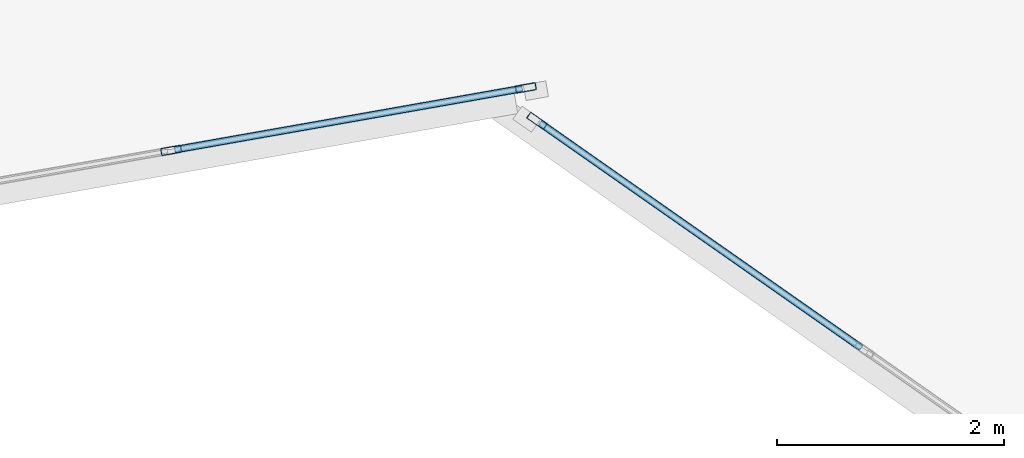
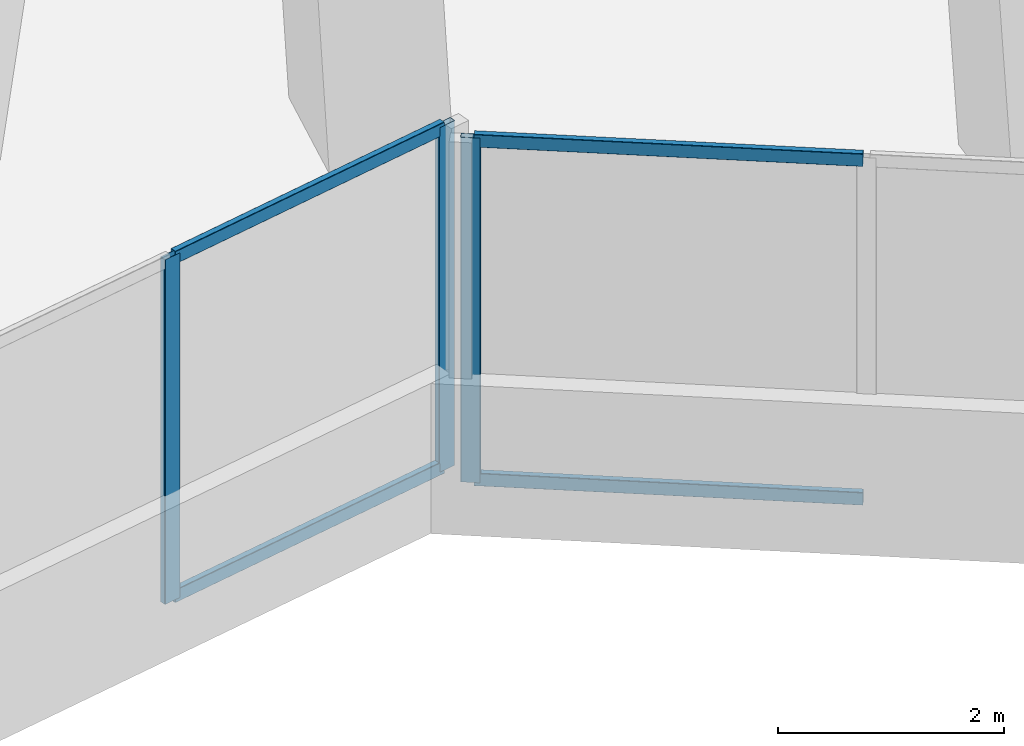
# One storey, part 4 of 21: 7 members, 2 elements without a shape of their own.
"""IFC4 building model written with IfcOpenShell, lengths in metres."""

from ifc_helpers import new_model, si_unit, direction, frame, origin, origin_2d, place, context, subcontext, project, spatial, hollow_rectangle, extrude, source, transform, mapped, material, material_profile, profile_set, type_object, element, aggregate, save


model = new_model("IFC4")

# Units and contexts
model_context = context("Model", 3, precision=1e-05, world=origin(), true_north=direction((0.0, 1.0)))
body_context = subcontext(model_context, "Body", "Model", "MODEL_VIEW")
ifc_project = project(units=[si_unit("LENGTHUNIT", "METRE"), si_unit("AREAUNIT", "SQUARE_METRE"), si_unit("VOLUMEUNIT", "CUBIC_METRE"), si_unit("PLANEANGLEUNIT", "RADIAN"), si_unit("MASSUNIT", "GRAM", prefix="KILO")], contexts=[model_context])

# Site, building, storey
site_placement = place(None, origin())
site = spatial("IfcSite", under=ifc_project, at=site_placement, CompositionType="ELEMENT")
building_placement = place(site_placement, origin())
building = spatial("IfcBuilding", under=site, at=building_placement, Name="Torre Montelarca", CompositionType="ELEMENT")
storey_placement = place(building_placement, frame((0.0, 0.0, 200.199951171875)))
storey = spatial("IfcBuildingStorey", under=building, at=storey_placement, Name="L45", CompositionType="ELEMENT", Elevation=200.199951171875)

# Curtain wall, members
ifc_material_1 = material(Name="Insulated low-E laminated glass", Category="glass")
curtain_wall_type = type_object("IfcCurtainWallType", Name="CW-SYS-Z2", PredefinedType="USERDEFINED", material=ifc_material_1)
curtain_wall_1_placement = place(storey_placement, origin())
curtain_wall_1 = element("IfcCurtainWall", 1, at=curtain_wall_1_placement, inside=storey, type_object=curtain_wall_type, Name="L45 Curtain Wall Run CW-T3-L45-E02-B1", ObjectType="UNITISED GLAZING", PredefinedType="USERDEFINED")
ifc_material_2 = material(Name="Anodised aluminium AA 6063-T6", Category="aluminium")
ifc_material_profile_1 = material_profile(ifc_material_2, hollow_rectangle(XDim=0.06494140625, YDim=0.139892578125, WallThickness=0.00390625, InnerFilletRadius=0.00390625, OuterFilletRadius=0.008056640625, at=origin_2d()), Name="ALU65X140X4", Category="aluminium")
ifc_profile_set_1 = profile_set([ifc_material_profile_1], Name="Anodised aluminium AA 6063-T6")
member_type_1 = type_object("IfcMemberType", Name="CWT-ALU140", PredefinedType="USERDEFINED", material=ifc_profile_set_1)
shared_shape_1 = source(origin(), body_context, "Body", "SweptSolid", [
    extrude(hollow_rectangle(XDim=0.06494140625, YDim=0.139892578125, WallThickness=0.00390625, InnerFilletRadius=0.00390625, OuterFilletRadius=0.008056640625, at=origin_2d()), origin(), (0.0, 0.0, 1.0), 3.102294921875),
])
member_1_placement = place(storey_placement, frame((23.313720703125, 11.5576171875, 0.032470703125), z_axis=(0.984815232543, 0.173605753795, 0.0), x_axis=(-0.173605753795, 0.984815232543, 0.0)))
member_1 = element("IfcMember", 2, at=member_1_placement, type_object=member_type_1, Name="CW transom 2.1", ObjectType="TRANSOM", PredefinedType="USERDEFINED", context=body_context, shape_type="MappedRepresentation", body=[
    mapped(shared_shape_1, transform((0.0, 0.0, 0.0), scale=1.0)),
])
member_2_placement = place(storey_placement, frame((23.313720703125, 11.5576171875, 3.6875), z_axis=(0.984815232543, 0.173605753795, 0.0), x_axis=(-0.173605753795, 0.984815232543, 0.0)))
member_2 = element("IfcMember", 3, at=member_2_placement, type_object=member_type_1, Name="CW transom 2.2", ObjectType="TRANSOM", PredefinedType="USERDEFINED", context=body_context, shape_type="MappedRepresentation", body=[
    mapped(shared_shape_1, transform((0.0, 0.0, 0.0), scale=1.0)),
])
ifc_material_profile_2 = material_profile(ifc_material_2, hollow_rectangle(XDim=0.06494140625, YDim=0.179931640625, WallThickness=0.00390625, InnerFilletRadius=0.00390625, OuterFilletRadius=0.008056640625, at=origin_2d()), Name="ALU65X180X4", Category="aluminium")
ifc_profile_set_2 = profile_set([ifc_material_profile_2], Name="Anodised aluminium AA 6063-T6")
member_type_2 = type_object("IfcMemberType", Name="CWM-ALU180", PredefinedType="MULLION", material=ifc_profile_set_2)
shared_shape_2 = source(origin(), body_context, "Body", "SweptSolid", [
    extrude(hollow_rectangle(XDim=0.06494140625, YDim=0.179931640625, WallThickness=0.00390625, InnerFilletRadius=0.00390625, OuterFilletRadius=0.008056640625, at=origin_2d()), origin(), (0.0, 0.0, 1.0), 3.719970703125),
])
member_3_placement = place(storey_placement, frame((23.28173828125, 11.552001953125, 0.0), z_axis=(0.0, 0.0, 1.0), x_axis=(-0.173635574451, 0.984809975216, 0.0)))
member_3 = element("IfcMember", 4, at=member_3_placement, type_object=member_type_2, Name="CW mullion 2", PredefinedType="MULLION", context=body_context, shape_type="MappedRepresentation", body=[
    mapped(shared_shape_2, transform((0.0, 0.0, 0.0), scale=1.0)),
])
member_4_placement = place(storey_placement, frame((26.40087890625, 12.101806640625, 0.0), z_axis=(0.0, 0.0, 1.0), x_axis=(-0.173635574451, 0.984809975216, 0.0)))
member_4 = element("IfcMember", 5, at=member_4_placement, type_object=member_type_2, Name="CW mullion 3", PredefinedType="MULLION", context=body_context, shape_type="MappedRepresentation", body=[
    mapped(shared_shape_2, transform((0.0, 0.0, 0.0), scale=1.0)),
])
aggregate(curtain_wall_1, [member_3, member_4, member_1, member_2])

curtain_wall_2_placement = place(storey_placement, origin())
curtain_wall_2 = element("IfcCurtainWall", 6, at=curtain_wall_2_placement, inside=storey, type_object=curtain_wall_type, Name="L45 Curtain Wall Run CW-T3-L45-E04-B1", ObjectType="UNITISED GLAZING", PredefinedType="USERDEFINED")
member_5_placement = place(storey_placement, frame((26.4990234375, 11.811767578125, 0.0), z_axis=(0.0, 0.0, 1.0), x_axis=(0.57355791733, 0.819165011136, 0.0)))
member_5 = element("IfcMember", 7, at=member_5_placement, type_object=member_type_2, Name="CW mullion 1", PredefinedType="MULLION", context=body_context, shape_type="MappedRepresentation", body=[
    mapped(shared_shape_2, transform((0.0, 0.0, 0.0), scale=1.0)),
])
shared_shape_3 = source(origin(), body_context, "Body", "SweptSolid", [
    extrude(hollow_rectangle(XDim=0.06494140625, YDim=0.139892578125, WallThickness=0.00390625, InnerFilletRadius=0.00390625, OuterFilletRadius=0.008056640625, at=origin_2d()), origin(), (0.0, 0.0, 1.0), 3.44873046875),
])
member_6_placement = place(storey_placement, frame((26.525634765625, 11.79296875, 0.032470703125), z_axis=(0.819155417883, -0.573571618329, 0.0), x_axis=(0.573571618329, 0.819155417883, 0.0)))
member_6 = element("IfcMember", 8, at=member_6_placement, type_object=member_type_1, Name="CW transom 1.1", ObjectType="TRANSOM", PredefinedType="USERDEFINED", context=body_context, shape_type="MappedRepresentation", body=[
    mapped(shared_shape_3, transform((0.0, 0.0, 0.0), scale=1.0)),
])
member_7_placement = place(storey_placement, frame((26.525634765625, 11.79296875, 3.6875), z_axis=(0.819155417883, -0.573571618329, 0.0), x_axis=(0.573571618329, 0.819155417883, 0.0)))
member_7 = element("IfcMember", 9, at=member_7_placement, type_object=member_type_1, Name="CW transom 1.2", ObjectType="TRANSOM", PredefinedType="USERDEFINED", context=body_context, shape_type="MappedRepresentation", body=[
    mapped(shared_shape_3, transform((0.0, 0.0, 0.0), scale=1.0)),
])
aggregate(curtain_wall_2, [member_5, member_6, member_7])

save(model, "model.ifc")
